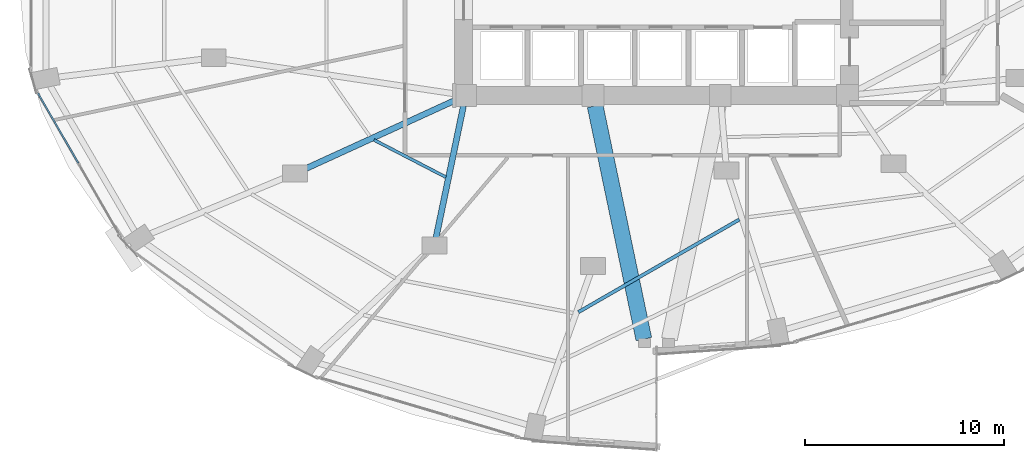
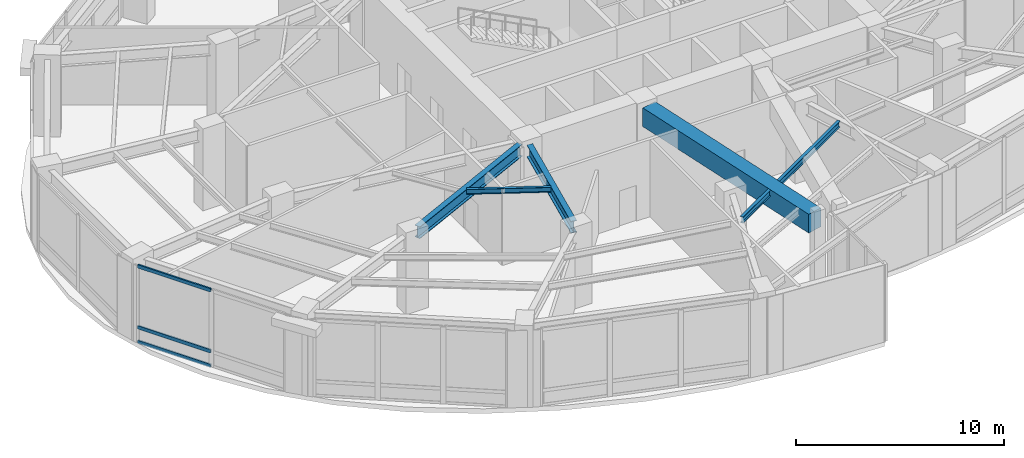
# One storey, part 5 of 24: 5 beams, 3 members, 1 element without a shape of its own.
"""IFC4 building model written with IfcOpenShell, lengths in metres."""

from ifc_helpers import new_model, si_unit, direction, frame, origin, origin_2d, place, context, subcontext, project, spatial, rectangle, hollow_rectangle, i_section, extrude, material, layer, layer_set, material_profile, profile_set, type_object, element, aggregate, save


model = new_model("IFC4")

# Units and contexts
model_context = context("Model", 3, precision=1e-05, world=origin(), true_north=direction((0.0, 1.0)))
body_context = subcontext(model_context, "Body", "Model", "MODEL_VIEW")
ifc_project = project(units=[si_unit("LENGTHUNIT", "METRE"), si_unit("AREAUNIT", "SQUARE_METRE"), si_unit("VOLUMEUNIT", "CUBIC_METRE"), si_unit("PLANEANGLEUNIT", "RADIAN"), si_unit("MASSUNIT", "GRAM", prefix="KILO")], contexts=[model_context])

# Site, building, storey
site_placement = place(None, origin())
site = spatial("IfcSite", under=ifc_project, at=site_placement, CompositionType="ELEMENT")
building_placement = place(site_placement, origin())
building = spatial("IfcBuilding", under=site, at=building_placement, Name="Lazwardi Medical Tower", CompositionType="ELEMENT")
storey_placement = place(building_placement, frame((0.0, 0.0, 10.800048828125)))
storey = spatial("IfcBuildingStorey", under=building, at=storey_placement, Name="L02", CompositionType="ELEMENT", Elevation=10.800048828125)

# Beams
ifc_material_1 = material(Name="Concrete C70/85", Category="concrete")
ifc_material_profile_1 = material_profile(ifc_material_1, rectangle(XDim=0.800048828125, YDim=1.10009765625, at=origin_2d()), Name="RC 800x1100")
ifc_profile_set_1 = profile_set([ifc_material_profile_1], Name="Concrete C70/85")
beam_type_1 = type_object("IfcBeamType", Name="BM-CB-RC1", PredefinedType="LINTEL", material=ifc_profile_set_1)
beam_1_placement = place(storey_placement, frame((32.909423828125, 19.876220703125, 3.969970703125), z_axis=(0.204429747009, -0.978881238219, 0.0), x_axis=(0.978881238219, 0.204429747009, 0.0)))
element("IfcBeam", 1, at=beam_1_placement, inside=storey, type_object=beam_type_1, Name="Core coupling lintel CB-01 PL3 L02", PredefinedType="LINTEL", context=body_context, shape_type="SweptSolid", body=[
    extrude(rectangle(XDim=0.800048828125, YDim=1.10009765625, at=origin_2d()), origin(), (0.0, 0.0, 1.0), 11.9736328125),
])
ifc_material_2 = material(Name="Steel S355", Category="steel")
ifc_material_profile_2 = material_profile(ifc_material_2, i_section(OverallWidth=0.300048828125, OverallDepth=0.699951171875, WebThickness=0.01708984375, FlangeThickness=0.031982421875, at=origin_2d()), Name="HEB 700")
ifc_profile_set_2 = profile_set([ifc_material_profile_2], Name="Steel S355")
beam_type_2 = type_object("IfcBeamType", Name="BM-RG-P1", PredefinedType="BEAM", material=ifc_profile_set_2)
beam_2_placement = place(storey_placement, frame((18.186767578125, 16.642333984375, 4.169921875), z_axis=(0.909345301738, 0.41604221205, 0.0), x_axis=(-0.41604221205, 0.909345301738, 0.0)))
element("IfcBeam", 2, at=beam_2_placement, inside=storey, type_object=beam_type_2, Name="Radial girder RG-01 R14B L02", PredefinedType="BEAM", context=body_context, shape_type="SweptSolid", body=[
    extrude(i_section(OverallWidth=0.300048828125, OverallDepth=0.699951171875, WebThickness=0.01708984375, FlangeThickness=0.031982421875, at=origin_2d()), origin(), (0.0, 0.0, 1.0), 8.4970703125),
])
beam_3_placement = place(storey_placement, frame((24.910400390625, 13.24462890625, 4.169921875), z_axis=(0.203817520402, 0.979008895964, 0.0), x_axis=(-0.979008895964, 0.203817520402, 0.0)))
element("IfcBeam", 3, at=beam_3_placement, inside=storey, type_object=beam_type_2, Name="Radial girder RG-01 R15B L02", PredefinedType="BEAM", context=body_context, shape_type="SweptSolid", body=[
    extrude(i_section(OverallWidth=0.300048828125, OverallDepth=0.699951171875, WebThickness=0.01708984375, FlangeThickness=0.031982421875, at=origin_2d()), origin(), (0.0, 0.0, 1.0), 6.773681640625),
])
ifc_material_profile_3 = material_profile(ifc_material_2, i_section(OverallWidth=0.169921875, OverallDepth=0.360107421875, WebThickness=0.008056640625, FlangeThickness=0.0126953125, at=origin_2d()), Name="IPE 360")
ifc_profile_set_3 = profile_set([ifc_material_profile_3], Name="Steel S355")
beam_type_3 = type_object("IfcBeamType", Name="BM-SJ-02", PredefinedType="JOIST", material=ifc_profile_set_3)
beam_4_placement = place(storey_placement, frame((32.069580078125, 9.51220703125, 4.33984375), z_axis=(0.866735235498, 0.498768514991, 0.0), x_axis=(-0.498768514991, 0.866735235498, 0.0)))
element("IfcBeam", 4, at=beam_4_placement, inside=storey, type_object=beam_type_3, Name="Secondary joist SJ-02 RO2 B16 L02", PredefinedType="JOIST", context=body_context, shape_type="SweptSolid", body=[
    extrude(i_section(OverallWidth=0.169921875, OverallDepth=0.360107421875, WebThickness=0.008056640625, FlangeThickness=0.0126953125, at=origin_2d()), origin(), (0.0, 0.0, 1.0), 9.33056640625),
])
ifc_material_profile_4 = material_profile(ifc_material_2, i_section(OverallWidth=0.14990234375, OverallDepth=0.300048828125, WebThickness=0.007080078125, FlangeThickness=0.0107421875, at=origin_2d()), Name="IPE 300")
ifc_profile_set_4 = profile_set([ifc_material_profile_4], Name="Steel S355")
beam_type_4 = type_object("IfcBeamType", Name="BM-SJ-03", PredefinedType="JOIST", material=ifc_profile_set_4)
beam_5_placement = place(storey_placement, frame((21.79248046875, 18.16650390625, 4.369873046875), z_axis=(0.887861727128, -0.460110370999, 0.0), x_axis=(0.460110370999, 0.887861727128, 0.0)))
element("IfcBeam", 5, at=beam_5_placement, inside=storey, type_object=beam_type_4, Name="Secondary joist SJ-03 RI1 B14 L02", PredefinedType="JOIST", context=body_context, shape_type="SweptSolid", body=[
    extrude(i_section(OverallWidth=0.14990234375, OverallDepth=0.300048828125, WebThickness=0.007080078125, FlangeThickness=0.0107421875, at=origin_2d()), origin(), (0.0, 0.0, 1.0), 4.066650390625),
])

# Curtain wall, members
ifc_material_3 = material(Name="Anodised bronze aluminium and solar control glazing", Category="aluminium")
ifc_layer = layer(ifc_material_3, 0.219970703125)
ifc_layer_set = layer_set([ifc_layer], Name="Anodised bronze aluminium and solar control glazing")
curtain_wall_type = type_object("IfcCurtainWallType", Name="CW-SYS-01", PredefinedType="NOTDEFINED", material=ifc_layer_set)
curtain_wall_placement = place(storey_placement, origin())
curtain_wall = element("IfcCurtainWall", 6, at=curtain_wall_placement, inside=storey, type_object=curtain_wall_type, Name="L02 Unitised bronze curtain wall CW-01", PredefinedType="NOTDEFINED")
ifc_material_4 = material(Name="Anodised bronze aluminium", Category="aluminium")
ifc_material_profile_5 = material_profile(ifc_material_4, hollow_rectangle(XDim=0.0849609375, YDim=0.199951171875, WallThickness=0.00439453125, at=origin_2d()), Name="ALU-TRANSOM 200x85x4.5")
ifc_profile_set_5 = profile_set([ifc_material_profile_5], Name="Anodised bronze aluminium")
member_type = type_object("IfcMemberType", Name="CW-TRN-02", PredefinedType="USERDEFINED", material=ifc_profile_set_5)
member_1_placement = place(storey_placement, frame((4.906982421875, 20.50927734375, 0.04248046875), z_axis=(0.499741574693, -0.866174554304, 0.0), x_axis=(0.866174554304, 0.499741574693, 0.0)))
member_1 = element("IfcMember", 7, at=member_1_placement, type_object=member_type, Name="CW-01 transom 1.1", ObjectType="TRANSOM", PredefinedType="USERDEFINED", context=body_context, shape_type="SweptSolid", body=[
    extrude(hollow_rectangle(XDim=0.0849609375, YDim=0.199951171875, WallThickness=0.00439453125, at=origin_2d()), origin(), (0.0, 0.0, 1.0), 4.052978515625),
])
member_2_placement = place(storey_placement, frame((4.906982421875, 20.50927734375, 0.89990234375), z_axis=(0.499741574693, -0.866174554304, 0.0), x_axis=(0.866174554304, 0.499741574693, 0.0)))
member_2 = element("IfcMember", 8, at=member_2_placement, type_object=member_type, Name="CW-01 transom 1.2", ObjectType="TRANSOM", PredefinedType="USERDEFINED", context=body_context, shape_type="SweptSolid", body=[
    extrude(hollow_rectangle(XDim=0.0849609375, YDim=0.199951171875, WallThickness=0.00439453125, at=origin_2d()), origin(), (0.0, 0.0, 1.0), 4.052978515625),
])
member_3_placement = place(storey_placement, frame((4.906982421875, 20.50927734375, 4.4775390625), z_axis=(0.499741574693, -0.866174554304, 0.0), x_axis=(0.866174554304, 0.499741574693, 0.0)))
member_3 = element("IfcMember", 9, at=member_3_placement, type_object=member_type, Name="CW-01 transom 1.3", ObjectType="TRANSOM", PredefinedType="USERDEFINED", context=body_context, shape_type="SweptSolid", body=[
    extrude(hollow_rectangle(XDim=0.0849609375, YDim=0.199951171875, WallThickness=0.00439453125, at=origin_2d()), origin(), (0.0, 0.0, 1.0), 4.052978515625),
])
aggregate(curtain_wall, [member_1, member_2, member_3])

save(model, "model.ifc")
